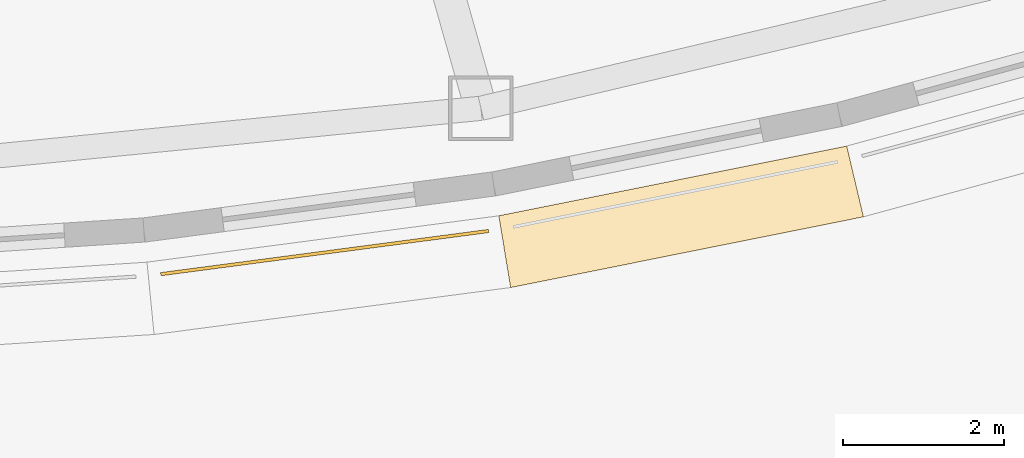
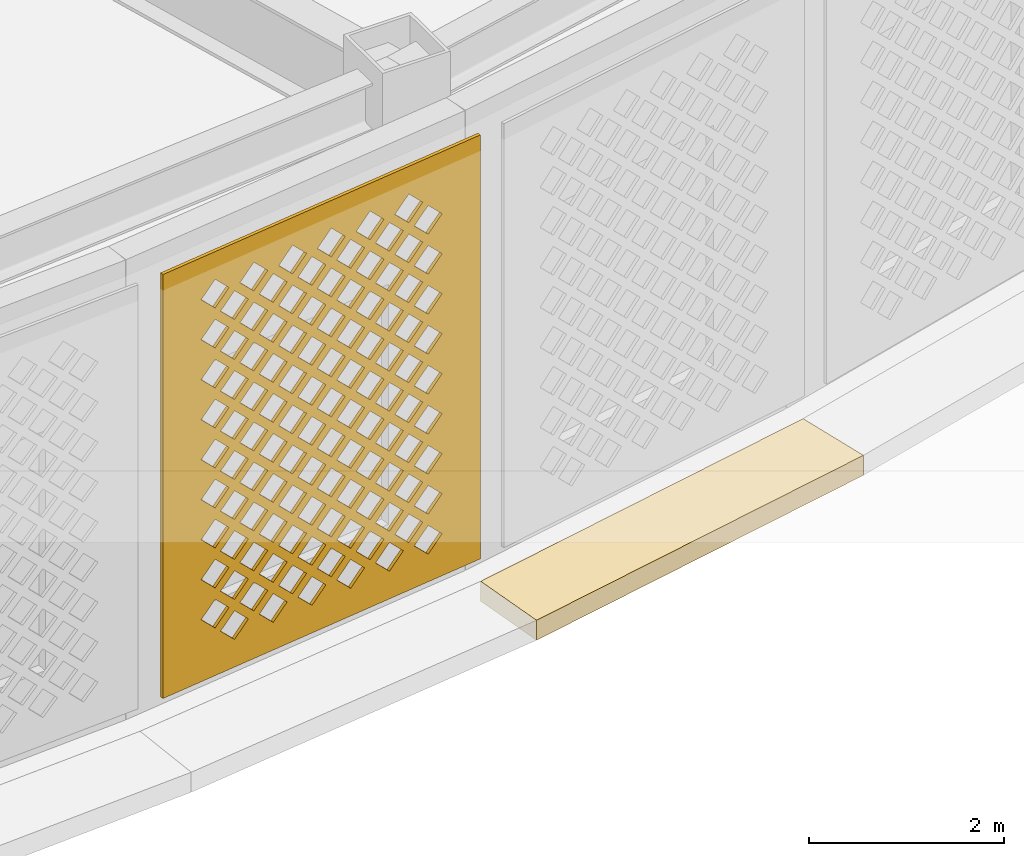
# One storey, part 59 of 74: 2 coverings.
"""IFC4 building model written with IfcOpenShell, lengths in metres."""

from ifc_helpers import new_model, si_unit, direction, frame, origin, place, context, subcontext, project, spatial, polyline, outline, extrude, material, layer, layer_set, type_object, element, save


model = new_model("IFC4")

# Units and contexts
model_context = context("Model", 3, precision=1e-05, world=origin(), true_north=direction((0.0, 1.0)))
body_context = subcontext(model_context, "Body", "Model", "MODEL_VIEW")
ifc_project = project(units=[si_unit("LENGTHUNIT", "METRE"), si_unit("AREAUNIT", "SQUARE_METRE"), si_unit("VOLUMEUNIT", "CUBIC_METRE"), si_unit("PLANEANGLEUNIT", "RADIAN"), si_unit("MASSUNIT", "GRAM", prefix="KILO")], contexts=[model_context])

# Site, building, storey
site_placement = place(None, origin())
site = spatial("IfcSite", under=ifc_project, at=site_placement, CompositionType="ELEMENT")
building_placement = place(site_placement, origin())
building = spatial("IfcBuilding", under=site, at=building_placement, Name="Noorbagh Ring Tower", CompositionType="ELEMENT")
storey_placement = place(building_placement, frame((0.0, 0.0, 7.5)))
storey = spatial("IfcBuildingStorey", under=building, at=storey_placement, Name="L01", CompositionType="ELEMENT", Elevation=7.5)

# Coverings
ifc_material_1 = material(Name="Red sandstone eave", Category="masonry")
covering_type_1 = type_object("IfcCoveringType", Name="STY-CHHAJJA", PredefinedType="USERDEFINED", material=ifc_material_1)
covering_1_placement = place(storey_placement, frame((0.0, 0.0, -0.25)))
element("IfcCovering", 1, at=covering_1_placement, inside=storey, type_object=covering_type_1, Name="Chhajja eave", ObjectType="CHHAJJA", PredefinedType="USERDEFINED", context=body_context, shape_type="SweptSolid", body=[
    extrude(outline(polyline([(10.945556640625, -39.103759765625), (15.2568359375, -38.239501953125), (15.464111328125, -39.115966796875), (11.093017578125, -39.9921875), (10.945556640625, -39.103759765625)])), origin(), (0.0, 0.0, 1.0), 0.25),
])
ifc_material_2 = material(Name="Red sandstone jali", Category="masonry")
ifc_layer = layer(ifc_material_2, 0.0400390625)
ifc_layer_set = layer_set([ifc_layer], Name="Red sandstone jali")
covering_type_2 = type_object("IfcCoveringType", Name="STY-JALI", PredefinedType="USERDEFINED", material=ifc_layer_set)
covering_2_placement = place(storey_placement, frame((6.759765625, -39.8466796875, 0.449951171875), z_axis=(0.130559329934, -0.991440498148, 0.0), x_axis=(0.991440498148, 0.130559329934, 0.0)))
element("IfcCovering", 2, at=covering_2_placement, inside=storey, type_object=covering_type_2, Name="Jali screen", ObjectType="SCREEN", PredefinedType="USERDEFINED", context=body_context, shape_type="SweptSolid", body=[
    extrude(outline(polyline([(0.0, 0.0), (4.09716796875, 0.0), (4.09716796875, 5.300048828125), (0.0, 5.300048828125), (0.0, 0.0)]), holes=[polyline([(0.743408203125, 0.52490234375), (0.923583984375, 0.344970703125), (1.103515625, 0.52490234375), (0.923583984375, 0.705078125), (0.743408203125, 0.52490234375)]), polyline([(1.243408203125, 0.52490234375), (1.423583984375, 0.344970703125), (1.603515625, 0.52490234375), (1.423583984375, 0.705078125), (1.243408203125, 0.52490234375)]), polyline([(1.743408203125, 0.52490234375), (1.923583984375, 0.344970703125), (2.103515625, 0.52490234375), (1.923583984375, 0.705078125), (1.743408203125, 0.52490234375)]), polyline([(2.243408203125, 0.52490234375), (2.423583984375, 0.344970703125), (2.603515625, 0.52490234375), (2.423583984375, 0.705078125), (2.243408203125, 0.52490234375)]), polyline([(2.743408203125, 0.52490234375), (2.923583984375, 0.344970703125), (3.103515625, 0.52490234375), (2.923583984375, 0.705078125), (2.743408203125, 0.52490234375)]), polyline([(3.243408203125, 0.52490234375), (3.423583984375, 0.344970703125), (3.603515625, 0.52490234375), (3.423583984375, 0.705078125), (3.243408203125, 0.52490234375)]), polyline([(0.493408203125, 0.77490234375), (0.673583984375, 0.594970703125), (0.853515625, 0.77490234375), (0.673583984375, 0.955078125), (0.493408203125, 0.77490234375)]), polyline([(0.993408203125, 0.77490234375), (1.173583984375, 0.594970703125), (1.353515625, 0.77490234375), (1.173583984375, 0.955078125), (0.993408203125, 0.77490234375)]), polyline([(1.493408203125, 0.77490234375), (1.673583984375, 0.594970703125), (1.853515625, 0.77490234375), (1.673583984375, 0.955078125), (1.493408203125, 0.77490234375)]), polyline([(1.993408203125, 0.77490234375), (2.173583984375, 0.594970703125), (2.353515625, 0.77490234375), (2.173583984375, 0.955078125), (1.993408203125, 0.77490234375)]), polyline([(2.493408203125, 0.77490234375), (2.673583984375, 0.594970703125), (2.853515625, 0.77490234375), (2.673583984375, 0.955078125), (2.493408203125, 0.77490234375)]), polyline([(2.993408203125, 0.77490234375), (3.173583984375, 0.594970703125), (3.353515625, 0.77490234375), (3.173583984375, 0.955078125), (2.993408203125, 0.77490234375)]), polyline([(0.743408203125, 1.02490234375), (0.923583984375, 0.844970703125), (1.103515625, 1.02490234375), (0.923583984375, 1.205078125), (0.743408203125, 1.02490234375)]), polyline([(1.243408203125, 1.02490234375), (1.423583984375, 0.844970703125), (1.603515625, 1.02490234375), (1.423583984375, 1.205078125), (1.243408203125, 1.02490234375)]), polyline([(1.743408203125, 1.02490234375), (1.923583984375, 0.844970703125), (2.103515625, 1.02490234375), (1.923583984375, 1.205078125), (1.743408203125, 1.02490234375)]), polyline([(2.243408203125, 1.02490234375), (2.423583984375, 0.844970703125), (2.603515625, 1.02490234375), (2.423583984375, 1.205078125), (2.243408203125, 1.02490234375)]), polyline([(2.743408203125, 1.02490234375), (2.923583984375, 0.844970703125), (3.103515625, 1.02490234375), (2.923583984375, 1.205078125), (2.743408203125, 1.02490234375)]), polyline([(3.243408203125, 1.02490234375), (3.423583984375, 0.844970703125), (3.603515625, 1.02490234375), (3.423583984375, 1.205078125), (3.243408203125, 1.02490234375)]), polyline([(0.493408203125, 1.27490234375), (0.673583984375, 1.094970703125), (0.853515625, 1.27490234375), (0.673583984375, 1.455078125), (0.493408203125, 1.27490234375)]), polyline([(0.993408203125, 1.27490234375), (1.173583984375, 1.094970703125), (1.353515625, 1.27490234375), (1.173583984375, 1.455078125), (0.993408203125, 1.27490234375)]), polyline([(1.493408203125, 1.27490234375), (1.673583984375, 1.094970703125), (1.853515625, 1.27490234375), (1.673583984375, 1.455078125), (1.493408203125, 1.27490234375)]), polyline([(1.993408203125, 1.27490234375), (2.173583984375, 1.094970703125), (2.353515625, 1.27490234375), (2.173583984375, 1.455078125), (1.993408203125, 1.27490234375)]), polyline([(2.493408203125, 1.27490234375), (2.673583984375, 1.094970703125), (2.853515625, 1.27490234375), (2.673583984375, 1.455078125), (2.493408203125, 1.27490234375)]), polyline([(2.993408203125, 1.27490234375), (3.173583984375, 1.094970703125), (3.353515625, 1.27490234375), (3.173583984375, 1.455078125), (2.993408203125, 1.27490234375)]), polyline([(0.743408203125, 1.52490234375), (0.923583984375, 1.344970703125), (1.103515625, 1.52490234375), (0.923583984375, 1.705078125), (0.743408203125, 1.52490234375)]), polyline([(1.243408203125, 1.52490234375), (1.423583984375, 1.344970703125), (1.603515625, 1.52490234375), (1.423583984375, 1.705078125), (1.243408203125, 1.52490234375)]), polyline([(1.743408203125, 1.52490234375), (1.923583984375, 1.344970703125), (2.103515625, 1.52490234375), (1.923583984375, 1.705078125), (1.743408203125, 1.52490234375)]), polyline([(2.243408203125, 1.52490234375), (2.423583984375, 1.344970703125), (2.603515625, 1.52490234375), (2.423583984375, 1.705078125), (2.243408203125, 1.52490234375)]), polyline([(2.743408203125, 1.52490234375), (2.923583984375, 1.344970703125), (3.103515625, 1.52490234375), (2.923583984375, 1.705078125), (2.743408203125, 1.52490234375)]), polyline([(3.243408203125, 1.52490234375), (3.423583984375, 1.344970703125), (3.603515625, 1.52490234375), (3.423583984375, 1.705078125), (3.243408203125, 1.52490234375)]), polyline([(0.493408203125, 1.77490234375), (0.673583984375, 1.594970703125), (0.853515625, 1.77490234375), (0.673583984375, 1.955078125), (0.493408203125, 1.77490234375)]), polyline([(0.993408203125, 1.77490234375), (1.173583984375, 1.594970703125), (1.353515625, 1.77490234375), (1.173583984375, 1.955078125), (0.993408203125, 1.77490234375)]), polyline([(1.493408203125, 1.77490234375), (1.673583984375, 1.594970703125), (1.853515625, 1.77490234375), (1.673583984375, 1.955078125), (1.493408203125, 1.77490234375)]), polyline([(1.993408203125, 1.77490234375), (2.173583984375, 1.594970703125), (2.353515625, 1.77490234375), (2.173583984375, 1.955078125), (1.993408203125, 1.77490234375)]), polyline([(2.493408203125, 1.77490234375), (2.673583984375, 1.594970703125), (2.853515625, 1.77490234375), (2.673583984375, 1.955078125), (2.493408203125, 1.77490234375)]), polyline([(2.993408203125, 1.77490234375), (3.173583984375, 1.594970703125), (3.353515625, 1.77490234375), (3.173583984375, 1.955078125), (2.993408203125, 1.77490234375)]), polyline([(0.743408203125, 2.02490234375), (0.923583984375, 1.844970703125), (1.103515625, 2.02490234375), (0.923583984375, 2.205078125), (0.743408203125, 2.02490234375)]), polyline([(1.243408203125, 2.02490234375), (1.423583984375, 1.844970703125), (1.603515625, 2.02490234375), (1.423583984375, 2.205078125), (1.243408203125, 2.02490234375)]), polyline([(1.743408203125, 2.02490234375), (1.923583984375, 1.844970703125), (2.103515625, 2.02490234375), (1.923583984375, 2.205078125), (1.743408203125, 2.02490234375)]), polyline([(2.243408203125, 2.02490234375), (2.423583984375, 1.844970703125), (2.603515625, 2.02490234375), (2.423583984375, 2.205078125), (2.243408203125, 2.02490234375)]), polyline([(2.743408203125, 2.02490234375), (2.923583984375, 1.844970703125), (3.103515625, 2.02490234375), (2.923583984375, 2.205078125), (2.743408203125, 2.02490234375)]), polyline([(3.243408203125, 2.02490234375), (3.423583984375, 1.844970703125), (3.603515625, 2.02490234375), (3.423583984375, 2.205078125), (3.243408203125, 2.02490234375)]), polyline([(0.493408203125, 2.27490234375), (0.673583984375, 2.094970703125), (0.853515625, 2.27490234375), (0.673583984375, 2.455078125), (0.493408203125, 2.27490234375)]), polyline([(0.993408203125, 2.27490234375), (1.173583984375, 2.094970703125), (1.353515625, 2.27490234375), (1.173583984375, 2.455078125), (0.993408203125, 2.27490234375)]), polyline([(1.493408203125, 2.27490234375), (1.673583984375, 2.094970703125), (1.853515625, 2.27490234375), (1.673583984375, 2.455078125), (1.493408203125, 2.27490234375)]), polyline([(1.993408203125, 2.27490234375), (2.173583984375, 2.094970703125), (2.353515625, 2.27490234375), (2.173583984375, 2.455078125), (1.993408203125, 2.27490234375)]), polyline([(2.493408203125, 2.27490234375), (2.673583984375, 2.094970703125), (2.853515625, 2.27490234375), (2.673583984375, 2.455078125), (2.493408203125, 2.27490234375)]), polyline([(2.993408203125, 2.27490234375), (3.173583984375, 2.094970703125), (3.353515625, 2.27490234375), (3.173583984375, 2.455078125), (2.993408203125, 2.27490234375)]), polyline([(0.743408203125, 2.52490234375), (0.923583984375, 2.344970703125), (1.103515625, 2.52490234375), (0.923583984375, 2.705078125), (0.743408203125, 2.52490234375)]), polyline([(1.243408203125, 2.52490234375), (1.423583984375, 2.344970703125), (1.603515625, 2.52490234375), (1.423583984375, 2.705078125), (1.243408203125, 2.52490234375)]), polyline([(1.743408203125, 2.52490234375), (1.923583984375, 2.344970703125), (2.103515625, 2.52490234375), (1.923583984375, 2.705078125), (1.743408203125, 2.52490234375)]), polyline([(2.243408203125, 2.52490234375), (2.423583984375, 2.344970703125), (2.603515625, 2.52490234375), (2.423583984375, 2.705078125), (2.243408203125, 2.52490234375)]), polyline([(2.743408203125, 2.52490234375), (2.923583984375, 2.344970703125), (3.103515625, 2.52490234375), (2.923583984375, 2.705078125), (2.743408203125, 2.52490234375)]), polyline([(3.243408203125, 2.52490234375), (3.423583984375, 2.344970703125), (3.603515625, 2.52490234375), (3.423583984375, 2.705078125), (3.243408203125, 2.52490234375)]), polyline([(0.493408203125, 2.77490234375), (0.673583984375, 2.594970703125), (0.853515625, 2.77490234375), (0.673583984375, 2.955078125), (0.493408203125, 2.77490234375)]), polyline([(0.993408203125, 2.77490234375), (1.173583984375, 2.594970703125), (1.353515625, 2.77490234375), (1.173583984375, 2.955078125), (0.993408203125, 2.77490234375)]), polyline([(1.493408203125, 2.77490234375), (1.673583984375, 2.594970703125), (1.853515625, 2.77490234375), (1.673583984375, 2.955078125), (1.493408203125, 2.77490234375)]), polyline([(1.993408203125, 2.77490234375), (2.173583984375, 2.594970703125), (2.353515625, 2.77490234375), (2.173583984375, 2.955078125), (1.993408203125, 2.77490234375)]), polyline([(2.493408203125, 2.77490234375), (2.673583984375, 2.594970703125), (2.853515625, 2.77490234375), (2.673583984375, 2.955078125), (2.493408203125, 2.77490234375)]), polyline([(2.993408203125, 2.77490234375), (3.173583984375, 2.594970703125), (3.353515625, 2.77490234375), (3.173583984375, 2.955078125), (2.993408203125, 2.77490234375)]), polyline([(0.743408203125, 3.02490234375), (0.923583984375, 2.844970703125), (1.103515625, 3.02490234375), (0.923583984375, 3.205078125), (0.743408203125, 3.02490234375)]), polyline([(1.243408203125, 3.02490234375), (1.423583984375, 2.844970703125), (1.603515625, 3.02490234375), (1.423583984375, 3.205078125), (1.243408203125, 3.02490234375)]), polyline([(1.743408203125, 3.02490234375), (1.923583984375, 2.844970703125), (2.103515625, 3.02490234375), (1.923583984375, 3.205078125), (1.743408203125, 3.02490234375)]), polyline([(2.243408203125, 3.02490234375), (2.423583984375, 2.844970703125), (2.603515625, 3.02490234375), (2.423583984375, 3.205078125), (2.243408203125, 3.02490234375)]), polyline([(2.743408203125, 3.02490234375), (2.923583984375, 2.844970703125), (3.103515625, 3.02490234375), (2.923583984375, 3.205078125), (2.743408203125, 3.02490234375)]), polyline([(3.243408203125, 3.02490234375), (3.423583984375, 2.844970703125), (3.603515625, 3.02490234375), (3.423583984375, 3.205078125), (3.243408203125, 3.02490234375)]), polyline([(0.493408203125, 3.27490234375), (0.673583984375, 3.094970703125), (0.853515625, 3.27490234375), (0.673583984375, 3.455078125), (0.493408203125, 3.27490234375)]), polyline([(0.993408203125, 3.27490234375), (1.173583984375, 3.094970703125), (1.353515625, 3.27490234375), (1.173583984375, 3.455078125), (0.993408203125, 3.27490234375)]), polyline([(1.493408203125, 3.27490234375), (1.673583984375, 3.094970703125), (1.853515625, 3.27490234375), (1.673583984375, 3.455078125), (1.493408203125, 3.27490234375)]), polyline([(1.993408203125, 3.27490234375), (2.173583984375, 3.094970703125), (2.353515625, 3.27490234375), (2.173583984375, 3.455078125), (1.993408203125, 3.27490234375)]), polyline([(2.493408203125, 3.27490234375), (2.673583984375, 3.094970703125), (2.853515625, 3.27490234375), (2.673583984375, 3.455078125), (2.493408203125, 3.27490234375)]), polyline([(2.993408203125, 3.27490234375), (3.173583984375, 3.094970703125), (3.353515625, 3.27490234375), (3.173583984375, 3.455078125), (2.993408203125, 3.27490234375)]), polyline([(0.743408203125, 3.52490234375), (0.923583984375, 3.344970703125), (1.103515625, 3.52490234375), (0.923583984375, 3.705078125), (0.743408203125, 3.52490234375)]), polyline([(1.243408203125, 3.52490234375), (1.423583984375, 3.344970703125), (1.603515625, 3.52490234375), (1.423583984375, 3.705078125), (1.243408203125, 3.52490234375)]), polyline([(1.743408203125, 3.52490234375), (1.923583984375, 3.344970703125), (2.103515625, 3.52490234375), (1.923583984375, 3.705078125), (1.743408203125, 3.52490234375)]), polyline([(2.243408203125, 3.52490234375), (2.423583984375, 3.344970703125), (2.603515625, 3.52490234375), (2.423583984375, 3.705078125), (2.243408203125, 3.52490234375)]), polyline([(2.743408203125, 3.52490234375), (2.923583984375, 3.344970703125), (3.103515625, 3.52490234375), (2.923583984375, 3.705078125), (2.743408203125, 3.52490234375)]), polyline([(3.243408203125, 3.52490234375), (3.423583984375, 3.344970703125), (3.603515625, 3.52490234375), (3.423583984375, 3.705078125), (3.243408203125, 3.52490234375)]), polyline([(0.493408203125, 3.77490234375), (0.673583984375, 3.594970703125), (0.853515625, 3.77490234375), (0.673583984375, 3.955078125), (0.493408203125, 3.77490234375)]), polyline([(0.993408203125, 3.77490234375), (1.173583984375, 3.594970703125), (1.353515625, 3.77490234375), (1.173583984375, 3.955078125), (0.993408203125, 3.77490234375)]), polyline([(1.493408203125, 3.77490234375), (1.673583984375, 3.594970703125), (1.853515625, 3.77490234375), (1.673583984375, 3.955078125), (1.493408203125, 3.77490234375)]), polyline([(1.993408203125, 3.77490234375), (2.173583984375, 3.594970703125), (2.353515625, 3.77490234375), (2.173583984375, 3.955078125), (1.993408203125, 3.77490234375)]), polyline([(2.493408203125, 3.77490234375), (2.673583984375, 3.594970703125), (2.853515625, 3.77490234375), (2.673583984375, 3.955078125), (2.493408203125, 3.77490234375)]), polyline([(2.993408203125, 3.77490234375), (3.173583984375, 3.594970703125), (3.353515625, 3.77490234375), (3.173583984375, 3.955078125), (2.993408203125, 3.77490234375)]), polyline([(0.743408203125, 4.02490234375), (0.923583984375, 3.844970703125), (1.103515625, 4.02490234375), (0.923583984375, 4.205078125), (0.743408203125, 4.02490234375)]), polyline([(1.243408203125, 4.02490234375), (1.423583984375, 3.844970703125), (1.603515625, 4.02490234375), (1.423583984375, 4.205078125), (1.243408203125, 4.02490234375)]), polyline([(1.743408203125, 4.02490234375), (1.923583984375, 3.844970703125), (2.103515625, 4.02490234375), (1.923583984375, 4.205078125), (1.743408203125, 4.02490234375)]), polyline([(2.243408203125, 4.02490234375), (2.423583984375, 3.844970703125), (2.603515625, 4.02490234375), (2.423583984375, 4.205078125), (2.243408203125, 4.02490234375)]), polyline([(2.743408203125, 4.02490234375), (2.923583984375, 3.844970703125), (3.103515625, 4.02490234375), (2.923583984375, 4.205078125), (2.743408203125, 4.02490234375)]), polyline([(3.243408203125, 4.02490234375), (3.423583984375, 3.844970703125), (3.603515625, 4.02490234375), (3.423583984375, 4.205078125), (3.243408203125, 4.02490234375)]), polyline([(0.493408203125, 4.27490234375), (0.673583984375, 4.094970703125), (0.853515625, 4.27490234375), (0.673583984375, 4.455078125), (0.493408203125, 4.27490234375)]), polyline([(0.993408203125, 4.27490234375), (1.173583984375, 4.094970703125), (1.353515625, 4.27490234375), (1.173583984375, 4.455078125), (0.993408203125, 4.27490234375)]), polyline([(1.493408203125, 4.27490234375), (1.673583984375, 4.094970703125), (1.853515625, 4.27490234375), (1.673583984375, 4.455078125), (1.493408203125, 4.27490234375)]), polyline([(1.993408203125, 4.27490234375), (2.173583984375, 4.094970703125), (2.353515625, 4.27490234375), (2.173583984375, 4.455078125), (1.993408203125, 4.27490234375)]), polyline([(2.493408203125, 4.27490234375), (2.673583984375, 4.094970703125), (2.853515625, 4.27490234375), (2.673583984375, 4.455078125), (2.493408203125, 4.27490234375)]), polyline([(2.993408203125, 4.27490234375), (3.173583984375, 4.094970703125), (3.353515625, 4.27490234375), (3.173583984375, 4.455078125), (2.993408203125, 4.27490234375)]), polyline([(0.743408203125, 4.52490234375), (0.923583984375, 4.344970703125), (1.103515625, 4.52490234375), (0.923583984375, 4.705078125), (0.743408203125, 4.52490234375)]), polyline([(1.243408203125, 4.52490234375), (1.423583984375, 4.344970703125), (1.603515625, 4.52490234375), (1.423583984375, 4.705078125), (1.243408203125, 4.52490234375)]), polyline([(1.743408203125, 4.52490234375), (1.923583984375, 4.344970703125), (2.103515625, 4.52490234375), (1.923583984375, 4.705078125), (1.743408203125, 4.52490234375)]), polyline([(2.243408203125, 4.52490234375), (2.423583984375, 4.344970703125), (2.603515625, 4.52490234375), (2.423583984375, 4.705078125), (2.243408203125, 4.52490234375)]), polyline([(2.743408203125, 4.52490234375), (2.923583984375, 4.344970703125), (3.103515625, 4.52490234375), (2.923583984375, 4.705078125), (2.743408203125, 4.52490234375)]), polyline([(3.243408203125, 4.52490234375), (3.423583984375, 4.344970703125), (3.603515625, 4.52490234375), (3.423583984375, 4.705078125), (3.243408203125, 4.52490234375)]), polyline([(0.493408203125, 4.77490234375), (0.673583984375, 4.594970703125), (0.853515625, 4.77490234375), (0.673583984375, 4.955078125), (0.493408203125, 4.77490234375)]), polyline([(0.993408203125, 4.77490234375), (1.173583984375, 4.594970703125), (1.353515625, 4.77490234375), (1.173583984375, 4.955078125), (0.993408203125, 4.77490234375)]), polyline([(1.493408203125, 4.77490234375), (1.673583984375, 4.594970703125), (1.853515625, 4.77490234375), (1.673583984375, 4.955078125), (1.493408203125, 4.77490234375)]), polyline([(1.993408203125, 4.77490234375), (2.173583984375, 4.594970703125), (2.353515625, 4.77490234375), (2.173583984375, 4.955078125), (1.993408203125, 4.77490234375)]), polyline([(2.493408203125, 4.77490234375), (2.673583984375, 4.594970703125), (2.853515625, 4.77490234375), (2.673583984375, 4.955078125), (2.493408203125, 4.77490234375)]), polyline([(2.993408203125, 4.77490234375), (3.173583984375, 4.594970703125), (3.353515625, 4.77490234375), (3.173583984375, 4.955078125), (2.993408203125, 4.77490234375)])]), origin(), (0.0, 0.0, -1.0), 0.0400390625),
])

save(model, "model.ifc")
